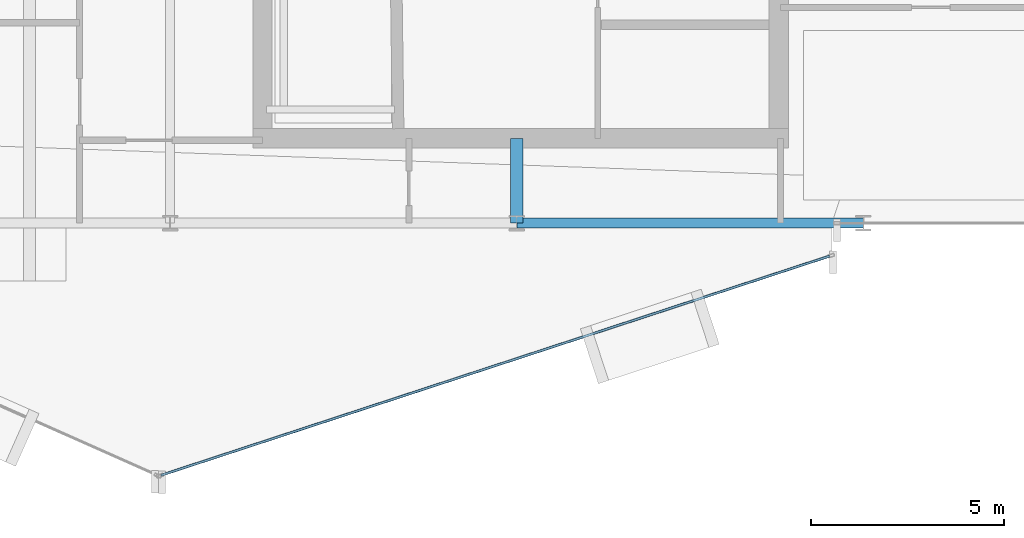
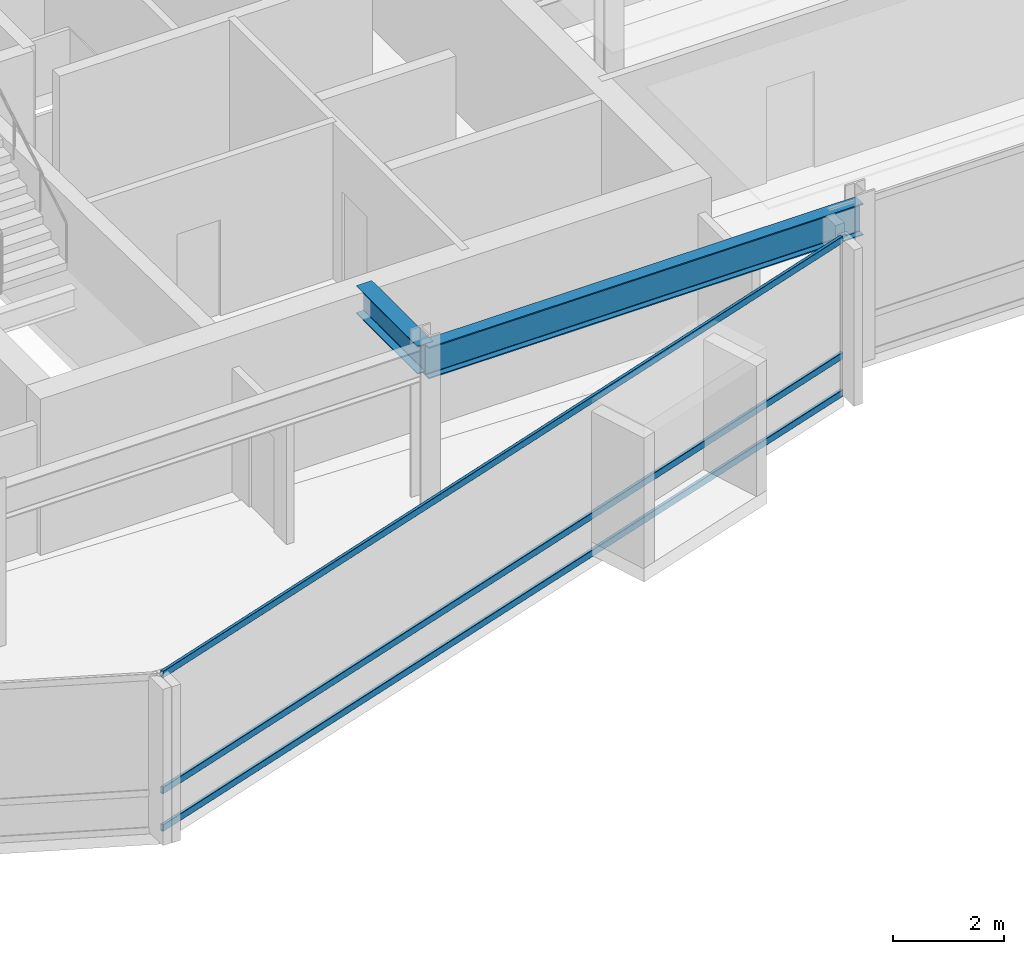
# One storey, part 9 of 28: 3 members, 2 beams, 1 element without a shape of its own.
"""IFC4 building model written with IfcOpenShell, lengths in metres."""

from ifc_helpers import new_model, si_unit, direction, frame, origin, origin_2d, place, context, subcontext, project, spatial, hollow_rectangle, i_section, extrude, material, layer, layer_set, material_profile, profile_set, type_object, element, aggregate, save


model = new_model("IFC4")

# Units and contexts
model_context = context("Model", 3, precision=1e-05, world=origin(), true_north=direction((0.0, 1.0)))
body_context = subcontext(model_context, "Body", "Model", "MODEL_VIEW")
ifc_project = project(units=[si_unit("LENGTHUNIT", "METRE"), si_unit("AREAUNIT", "SQUARE_METRE"), si_unit("VOLUMEUNIT", "CUBIC_METRE"), si_unit("PLANEANGLEUNIT", "RADIAN"), si_unit("MASSUNIT", "GRAM", prefix="KILO")], contexts=[model_context])

# Site, building, storey
site_placement = place(None, origin())
site = spatial("IfcSite", under=ifc_project, at=site_placement, CompositionType="ELEMENT")
building_placement = place(site_placement, origin())
building = spatial("IfcBuilding", under=site, at=building_placement, Name="Solvaryn Broadcast Tower", CompositionType="ELEMENT")
storey_placement = place(building_placement, frame((0.0, 0.0, 206.199951171875)))
storey = spatial("IfcBuildingStorey", under=building, at=storey_placement, Name="L51", CompositionType="ELEMENT", Elevation=206.199951171875)

# Beams
ifc_material_1 = material(Name="Steel ASTM A992 Grade 50", Category="steel")
ifc_material_profile_1 = material_profile(ifc_material_1, i_section(OverallWidth=0.323974609375, OverallDepth=0.611083984375, WebThickness=0.0126953125, FlangeThickness=0.01904296875, FilletRadius=0.014892578125, at=origin_2d()))
ifc_profile_set_1 = profile_set([ifc_material_profile_1], Name="Steel ASTM A992 Grade 50")
beam_type_1 = type_object("IfcBeamType", Name="BM-B1-W24X104", PredefinedType="BEAM", material=ifc_profile_set_1)
beam_1_placement = place(storey_placement, frame((36.0, 9.0, 3.114501953125), z_axis=(0.0, 1.0, 0.0), x_axis=(-1.0, 0.0, 0.0)))
element("IfcBeam", 1, at=beam_1_placement, inside=storey, type_object=beam_type_1, Name="L51 Core Tie Beam CTE1", PredefinedType="BEAM", context=body_context, shape_type="SweptSolid", body=[
    extrude(i_section(OverallWidth=0.323974609375, OverallDepth=0.611083984375, WebThickness=0.0126953125, FlangeThickness=0.01904296875, FilletRadius=0.014892578125, at=origin_2d()), origin(), (0.0, 0.0, 1.0), 2.199951171875),
])
ifc_material_2 = material(Name="Steel ASTM A992 Grade 50", Category="steel")
ifc_material_profile_2 = material_profile(ifc_material_2, i_section(OverallWidth=0.256103515625, OverallDepth=0.693115234375, WebThickness=0.014404296875, FlangeThickness=0.023681640625, FilletRadius=0.01611328125, at=origin_2d()))
ifc_profile_set_2 = profile_set([ifc_material_profile_2], Name="Steel ASTM A992 Grade 50")
beam_type_2 = type_object("IfcBeamType", Name="BM-SP3-W27X114", PredefinedType="USERDEFINED", material=ifc_profile_set_2)
beam_2_placement = place(storey_placement, frame((36.0, 9.0, 3.073486328125), z_axis=(1.0, 0.0, 0.0), x_axis=(0.0, 1.0, 0.0)))
element("IfcBeam", 2, at=beam_2_placement, inside=storey, type_object=beam_type_2, Name="L51 Spandrel Beam X (36-45 @ Y=9)", ObjectType="SPANDREL", PredefinedType="USERDEFINED", context=body_context, shape_type="SweptSolid", body=[
    extrude(i_section(OverallWidth=0.256103515625, OverallDepth=0.693115234375, WebThickness=0.014404296875, FlangeThickness=0.023681640625, FilletRadius=0.01611328125, at=origin_2d()), origin(), (0.0, 0.0, 1.0), 9.0),
])

# Curtain wall, members
ifc_material_3 = material(Name="Aluminium and Terracotta Unitised Curtain Wall", Category="masonry")
ifc_layer = layer(ifc_material_3, 0.199951171875)
ifc_layer_set = layer_set([ifc_layer], Name="CW-SYS2-LOWMID")
curtain_wall_type = type_object("IfcCurtainWallType", Name="CW-SYS2-LOWMID", PredefinedType="NOTDEFINED", material=ifc_layer_set)
curtain_wall_placement = place(storey_placement, origin())
curtain_wall = element("IfcCurtainWall", 3, at=curtain_wall_placement, inside=storey, type_object=curtain_wall_type, Name="L51 Curtain Wall DR4", PredefinedType="NOTDEFINED")
ifc_material_4 = material(Name="Anodised Aluminium 6063-T6", Category="aluminium")
ifc_material_profile_3 = material_profile(ifc_material_4, hollow_rectangle(XDim=0.06494140625, YDim=0.14990234375, WallThickness=0.00390625, InnerFilletRadius=0.00390625, OuterFilletRadius=0.008056640625, at=origin_2d()))
ifc_profile_set_3 = profile_set([ifc_material_profile_3], Name="Anodised Aluminium 6063-T6")
member_type = type_object("IfcMemberType", Name="CW-TRN-150", PredefinedType="USERDEFINED", material=ifc_profile_set_3)
member_1_placement = place(storey_placement, frame((26.762939453125, 2.45166015625, 0.030029296875), z_axis=(0.950227141586, 0.311557987209, 0.0), x_axis=(-0.311557987209, 0.950227141586, 0.0)))
member_1 = element("IfcMember", 4, at=member_1_placement, type_object=member_type, Name="CWS2 transom 1.1", ObjectType="TRANSOM", PredefinedType="USERDEFINED", context=body_context, shape_type="SweptSolid", body=[
    extrude(hollow_rectangle(XDim=0.06494140625, YDim=0.14990234375, WallThickness=0.00390625, InnerFilletRadius=0.00390625, OuterFilletRadius=0.008056640625, at=origin_2d()), origin(), (0.0, 0.0, 1.0), 18.271484375),
])
member_2_placement = place(storey_placement, frame((26.762939453125, 2.45166015625, 0.85009765625), z_axis=(0.950227141586, 0.311557987209, 0.0), x_axis=(-0.311557987209, 0.950227141586, 0.0)))
member_2 = element("IfcMember", 5, at=member_2_placement, type_object=member_type, Name="CWS2 transom 1.2", ObjectType="TRANSOM", PredefinedType="USERDEFINED", context=body_context, shape_type="SweptSolid", body=[
    extrude(hollow_rectangle(XDim=0.06494140625, YDim=0.14990234375, WallThickness=0.00390625, InnerFilletRadius=0.00390625, OuterFilletRadius=0.008056640625, at=origin_2d()), origin(), (0.0, 0.0, 1.0), 18.271484375),
])
member_3_placement = place(storey_placement, frame((26.762939453125, 2.45166015625, 3.39013671875), z_axis=(0.950227141586, 0.311557987209, 0.0), x_axis=(-0.311557987209, 0.950227141586, 0.0)))
member_3 = element("IfcMember", 6, at=member_3_placement, type_object=member_type, Name="CWS2 transom 1.3", ObjectType="TRANSOM", PredefinedType="USERDEFINED", context=body_context, shape_type="SweptSolid", body=[
    extrude(hollow_rectangle(XDim=0.06494140625, YDim=0.14990234375, WallThickness=0.00390625, InnerFilletRadius=0.00390625, OuterFilletRadius=0.008056640625, at=origin_2d()), origin(), (0.0, 0.0, 1.0), 18.271484375),
])
aggregate(curtain_wall, [member_1, member_2, member_3])

save(model, "model.ifc")
